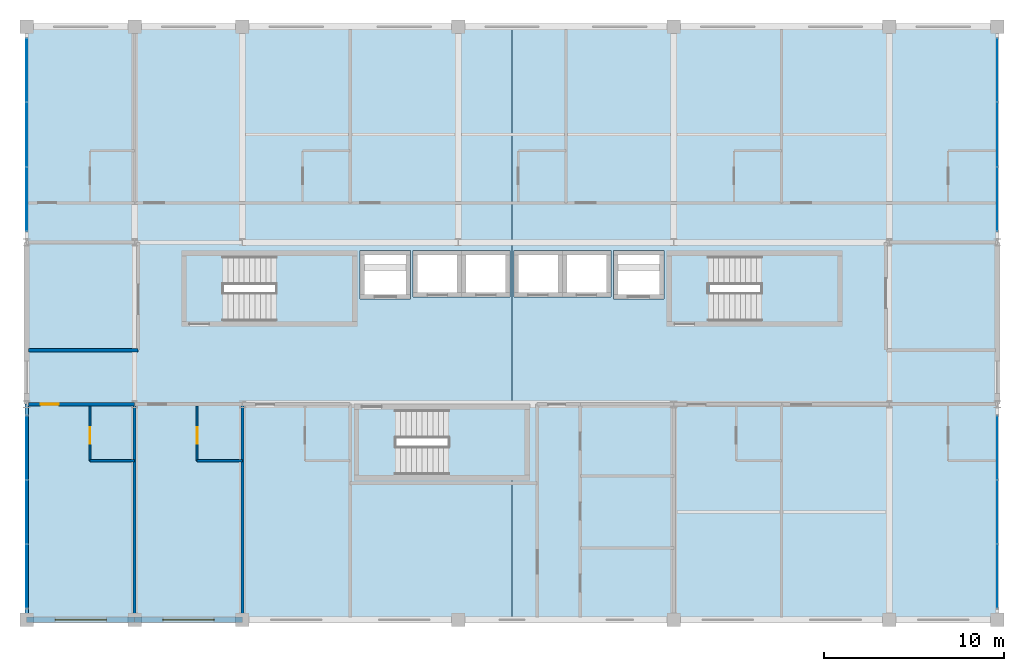
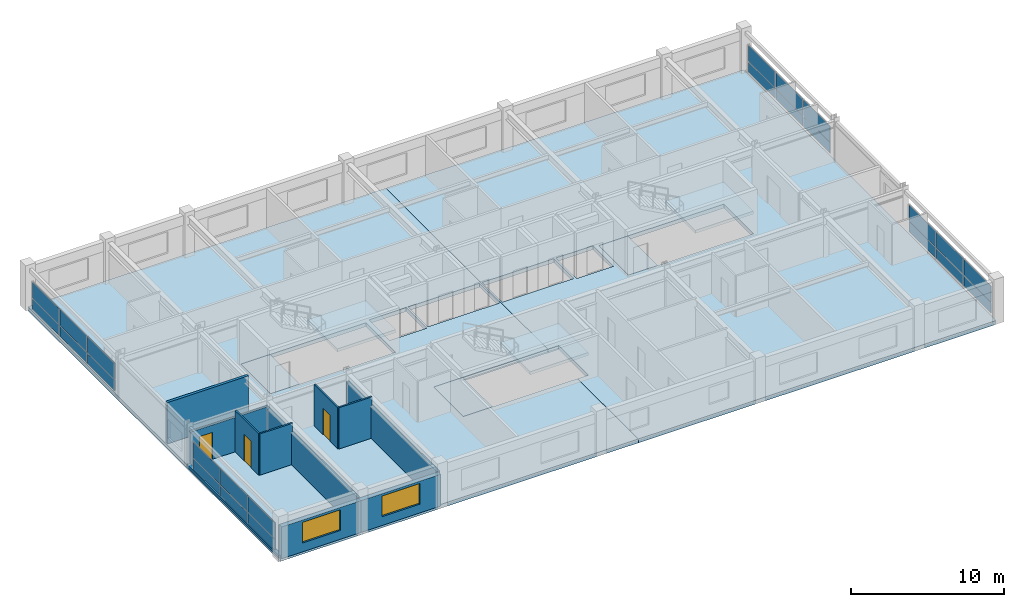
# One storey, part 15 of 20: 24 plates, 11 walls, 8 slabs, 3 doors, 2 windows, 5 openings, 7 elements without a shape of their own.
"""IFC4 building model written with IfcOpenShell, lengths in metres."""

from ifc_helpers import new_model, si_unit, direction, frame, frame_2d, origin, origin_2d, place, context, subcontext, project, spatial, polyline, rectangle, outline, extrude, material, layer, layer_set, type_object, element, fill, aggregate, save


model = new_model("IFC4")

# Units and contexts
model_context = context("Model", 3, precision=1e-05, world=origin(), true_north=direction((0.0, 1.0)))
body_context = subcontext(model_context, "Body", "Model", "MODEL_VIEW")
ifc_project = project(units=[si_unit("LENGTHUNIT", "METRE"), si_unit("AREAUNIT", "SQUARE_METRE"), si_unit("VOLUMEUNIT", "CUBIC_METRE"), si_unit("PLANEANGLEUNIT", "RADIAN"), si_unit("MASSUNIT", "GRAM", prefix="KILO")], contexts=[model_context])

# Site, building, storey
site_placement = place(None, origin())
site = spatial("IfcSite", under=ifc_project, at=site_placement, CompositionType="ELEMENT")
building_placement = place(site_placement, origin())
building = spatial("IfcBuilding", under=site, at=building_placement, Name="Kaldorvane Square Convention Centre", CompositionType="ELEMENT")
storey_placement = place(building_placement, frame((0.0, 0.0, 56.399993896484375)))
storey = spatial("IfcBuildingStorey", under=building, at=storey_placement, Name="L13", CompositionType="ELEMENT", Elevation=56.399993896484375)

# Curtain wall, plates
ifc_material_1 = material(Name="Anodized Aluminum and Low-E Insulated Glazing", Category="aluminium")
curtain_wall_type_1 = type_object("IfcCurtainWallType", Name="CW-UNI-HTL-A", PredefinedType="USERDEFINED", material=ifc_material_1)
curtain_wall_1_placement = place(storey_placement, origin())
curtain_wall_1 = element("IfcCurtainWall", 1, at=curtain_wall_1_placement, inside=storey, type_object=curtain_wall_type_1, Name="Curtain Wall CW-10 (L13)", ObjectType="UNITISED GLAZING", PredefinedType="USERDEFINED")
ifc_layer_1 = layer(ifc_material_1, 0.0240020751953125)
ifc_layer_set_1 = layer_set([ifc_layer_1], Name="Anodized Aluminum and Low-E Insulated Glazing")
plate_type_1 = type_object("IfcPlateType", Name="CW-PNL-11", PredefinedType="CURTAIN_PANEL", material=ifc_layer_set_1)
plate_1_placement = place(storey_placement, frame((84.0, 86.41499328613281, 0.2050018310546875), z_axis=(0.0, 0.0, 1.0), x_axis=(0.0, 1.0, 0.0)))
plate_1 = element("IfcPlate", 2, at=plate_1_placement, type_object=plate_type_1, Name="CW-10 panel 1.1", PredefinedType="CURTAIN_PANEL", context=body_context, shape_type="SweptSolid", body=[
    extrude(rectangle(XDim=3.5099945068359375, YDim=0.0240020751953125, at=origin_2d()), origin(), (0.0, 0.0, 1.0), 0.8175048828125),
])
plate_2_placement = place(storey_placement, frame((84.0, 86.41499328613281, 1.0775146484375), z_axis=(0.0, 0.0, 1.0), x_axis=(0.0, 1.0, 0.0)))
plate_2 = element("IfcPlate", 3, at=plate_2_placement, type_object=plate_type_1, Name="CW-10 panel 1.2", PredefinedType="CURTAIN_PANEL", context=body_context, shape_type="SweptSolid", body=[
    extrude(rectangle(XDim=3.5099945068359375, YDim=0.0240020751953125, at=origin_2d()), origin(), (0.0, 0.0, 1.0), 1.277496337890625),
])
plate_3_placement = place(storey_placement, frame((84.0, 90.0, 0.2050018310546875), z_axis=(0.0, 0.0, 1.0), x_axis=(0.0, 1.0, 0.0)))
plate_3 = element("IfcPlate", 4, at=plate_3_placement, type_object=plate_type_1, Name="CW-10 panel 2.1", PredefinedType="CURTAIN_PANEL", context=body_context, shape_type="SweptSolid", body=[
    extrude(rectangle(XDim=3.5399932861328125, YDim=0.0240020751953125, at=origin_2d()), origin(), (0.0, 0.0, 1.0), 0.8175048828125),
])
plate_4_placement = place(storey_placement, frame((84.0, 90.0, 1.0775146484375), z_axis=(0.0, 0.0, 1.0), x_axis=(0.0, 1.0, 0.0)))
plate_4 = element("IfcPlate", 5, at=plate_4_placement, type_object=plate_type_1, Name="CW-10 panel 2.2", PredefinedType="CURTAIN_PANEL", context=body_context, shape_type="SweptSolid", body=[
    extrude(rectangle(XDim=3.5399932861328125, YDim=0.0240020751953125, at=origin_2d()), origin(), (0.0, 0.0, 1.0), 1.277496337890625),
])
plate_5_placement = place(storey_placement, frame((84.0, 93.58500671386719, 0.2050018310546875), z_axis=(0.0, 0.0, 1.0), x_axis=(0.0, 1.0, 0.0)))
plate_5 = element("IfcPlate", 6, at=plate_5_placement, type_object=plate_type_1, Name="CW-10 panel 3.1", PredefinedType="CURTAIN_PANEL", context=body_context, shape_type="SweptSolid", body=[
    extrude(rectangle(XDim=3.5099945068359375, YDim=0.0240020751953125, at=origin_2d()), origin(), (0.0, 0.0, 1.0), 0.8175048828125),
])
plate_6_placement = place(storey_placement, frame((84.0, 93.58500671386719, 1.0775146484375), z_axis=(0.0, 0.0, 1.0), x_axis=(0.0, 1.0, 0.0)))
plate_6 = element("IfcPlate", 7, at=plate_6_placement, type_object=plate_type_1, Name="CW-10 panel 3.2", PredefinedType="CURTAIN_PANEL", context=body_context, shape_type="SweptSolid", body=[
    extrude(rectangle(XDim=3.5099945068359375, YDim=0.0240020751953125, at=origin_2d()), origin(), (0.0, 0.0, 1.0), 1.277496337890625),
])
aggregate(curtain_wall_1, [plate_1, plate_2, plate_3, plate_4, plate_5, plate_6])

curtain_wall_2_placement = place(storey_placement, origin())
curtain_wall_2 = element("IfcCurtainWall", 8, at=curtain_wall_2_placement, inside=storey, type_object=curtain_wall_type_1, Name="Curtain Wall CW-10 (L13)", ObjectType="UNITISED GLAZING", PredefinedType="USERDEFINED")
plate_7_placement = place(storey_placement, frame((84.0, 107.41499328613281, 0.2050018310546875), z_axis=(0.0, 0.0, 1.0), x_axis=(0.0, 1.0, 0.0)))
plate_7 = element("IfcPlate", 9, at=plate_7_placement, type_object=plate_type_1, Name="CW-10 panel 1.1", PredefinedType="CURTAIN_PANEL", context=body_context, shape_type="SweptSolid", body=[
    extrude(rectangle(XDim=3.5099945068359375, YDim=0.0240020751953125, at=origin_2d()), origin(), (0.0, 0.0, 1.0), 0.8175048828125),
])
plate_8_placement = place(storey_placement, frame((84.0, 107.41499328613281, 1.0775146484375), z_axis=(0.0, 0.0, 1.0), x_axis=(0.0, 1.0, 0.0)))
plate_8 = element("IfcPlate", 10, at=plate_8_placement, type_object=plate_type_1, Name="CW-10 panel 1.2", PredefinedType="CURTAIN_PANEL", context=body_context, shape_type="SweptSolid", body=[
    extrude(rectangle(XDim=3.5099945068359375, YDim=0.0240020751953125, at=origin_2d()), origin(), (0.0, 0.0, 1.0), 1.277496337890625),
])
plate_9_placement = place(storey_placement, frame((84.0, 111.0, 0.2050018310546875), z_axis=(0.0, 0.0, 1.0), x_axis=(0.0, 1.0, 0.0)))
plate_9 = element("IfcPlate", 11, at=plate_9_placement, type_object=plate_type_1, Name="CW-10 panel 2.1", PredefinedType="CURTAIN_PANEL", context=body_context, shape_type="SweptSolid", body=[
    extrude(rectangle(XDim=3.5399932861328125, YDim=0.0240020751953125, at=origin_2d()), origin(), (0.0, 0.0, 1.0), 0.8175048828125),
])
plate_10_placement = place(storey_placement, frame((84.0, 111.0, 1.0775146484375), z_axis=(0.0, 0.0, 1.0), x_axis=(0.0, 1.0, 0.0)))
plate_10 = element("IfcPlate", 12, at=plate_10_placement, type_object=plate_type_1, Name="CW-10 panel 2.2", PredefinedType="CURTAIN_PANEL", context=body_context, shape_type="SweptSolid", body=[
    extrude(rectangle(XDim=3.5399932861328125, YDim=0.0240020751953125, at=origin_2d()), origin(), (0.0, 0.0, 1.0), 1.277496337890625),
])
plate_11_placement = place(storey_placement, frame((84.0, 114.58500671386719, 0.2050018310546875), z_axis=(0.0, 0.0, 1.0), x_axis=(0.0, 1.0, 0.0)))
plate_11 = element("IfcPlate", 13, at=plate_11_placement, type_object=plate_type_1, Name="CW-10 panel 3.1", PredefinedType="CURTAIN_PANEL", context=body_context, shape_type="SweptSolid", body=[
    extrude(rectangle(XDim=3.5099945068359375, YDim=0.0240020751953125, at=origin_2d()), origin(), (0.0, 0.0, 1.0), 0.8175048828125),
])
plate_12_placement = place(storey_placement, frame((84.0, 114.58500671386719, 1.0775146484375), z_axis=(0.0, 0.0, 1.0), x_axis=(0.0, 1.0, 0.0)))
plate_12 = element("IfcPlate", 14, at=plate_12_placement, type_object=plate_type_1, Name="CW-10 panel 3.2", PredefinedType="CURTAIN_PANEL", context=body_context, shape_type="SweptSolid", body=[
    extrude(rectangle(XDim=3.5099945068359375, YDim=0.0240020751953125, at=origin_2d()), origin(), (0.0, 0.0, 1.0), 1.277496337890625),
])
aggregate(curtain_wall_2, [plate_7, plate_8, plate_9, plate_10, plate_11, plate_12])

curtain_wall_type_2 = type_object("IfcCurtainWallType", Name="CW-UNI-HTL-B", PredefinedType="USERDEFINED", material=ifc_material_1)
curtain_wall_3_placement = place(storey_placement, origin())
curtain_wall_3 = element("IfcCurtainWall", 15, at=curtain_wall_3_placement, inside=storey, type_object=curtain_wall_type_2, Name="Curtain Wall CW-11 (L13)", ObjectType="UNITISED GLAZING", PredefinedType="USERDEFINED")
ifc_layer_2 = layer(ifc_material_1, 0.0460052490234375)
ifc_layer_set_2 = layer_set([ifc_layer_2], Name="Anodized Aluminum and Low-E Insulated Glazing")
plate_type_2 = type_object("IfcPlateType", Name="CW-PNL-12", PredefinedType="CURTAIN_PANEL", material=ifc_layer_set_2)
plate_13_placement = place(storey_placement, frame((30.0, 93.58500671386719, 0.2050018310546875), z_axis=(0.0, 0.0, 1.0), x_axis=(0.0, -1.0, 0.0)))
plate_13 = element("IfcPlate", 16, at=plate_13_placement, type_object=plate_type_2, Name="CW-11 panel 1.1", PredefinedType="CURTAIN_PANEL", context=body_context, shape_type="SweptSolid", body=[
    extrude(rectangle(XDim=3.5099945068359375, YDim=0.0460052490234375, at=origin_2d()), origin(), (0.0, 0.0, 1.0), 0.8175048828125),
])
plate_14_placement = place(storey_placement, frame((30.0, 93.58500671386719, 1.0775146484375), z_axis=(0.0, 0.0, 1.0), x_axis=(0.0, -1.0, 0.0)))
plate_14 = element("IfcPlate", 17, at=plate_14_placement, type_object=plate_type_2, Name="CW-11 panel 1.2", PredefinedType="CURTAIN_PANEL", context=body_context, shape_type="SweptSolid", body=[
    extrude(rectangle(XDim=3.5099945068359375, YDim=0.0460052490234375, at=origin_2d()), origin(), (0.0, 0.0, 1.0), 1.277496337890625),
])
plate_15_placement = place(storey_placement, frame((30.0, 90.0, 0.2050018310546875), z_axis=(0.0, 0.0, 1.0), x_axis=(0.0, -1.0, 0.0)))
plate_15 = element("IfcPlate", 18, at=plate_15_placement, type_object=plate_type_2, Name="CW-11 panel 2.1", PredefinedType="CURTAIN_PANEL", context=body_context, shape_type="SweptSolid", body=[
    extrude(rectangle(XDim=3.5399932861328125, YDim=0.0460052490234375, at=origin_2d()), origin(), (0.0, 0.0, 1.0), 0.8175048828125),
])
plate_16_placement = place(storey_placement, frame((30.0, 90.0, 1.0775146484375), z_axis=(0.0, 0.0, 1.0), x_axis=(0.0, -1.0, 0.0)))
plate_16 = element("IfcPlate", 19, at=plate_16_placement, type_object=plate_type_2, Name="CW-11 panel 2.2", PredefinedType="CURTAIN_PANEL", context=body_context, shape_type="SweptSolid", body=[
    extrude(rectangle(XDim=3.5399932861328125, YDim=0.0460052490234375, at=origin_2d()), origin(), (0.0, 0.0, 1.0), 1.277496337890625),
])
plate_17_placement = place(storey_placement, frame((30.0, 86.41499328613281, 0.2050018310546875), z_axis=(0.0, 0.0, 1.0), x_axis=(0.0, -1.0, 0.0)))
plate_17 = element("IfcPlate", 20, at=plate_17_placement, type_object=plate_type_2, Name="CW-11 panel 3.1", PredefinedType="CURTAIN_PANEL", context=body_context, shape_type="SweptSolid", body=[
    extrude(rectangle(XDim=3.5099945068359375, YDim=0.0460052490234375, at=origin_2d()), origin(), (0.0, 0.0, 1.0), 0.8175048828125),
])
plate_18_placement = place(storey_placement, frame((30.0, 86.41499328613281, 1.0775146484375), z_axis=(0.0, 0.0, 1.0), x_axis=(0.0, -1.0, 0.0)))
plate_18 = element("IfcPlate", 21, at=plate_18_placement, type_object=plate_type_2, Name="CW-11 panel 3.2", PredefinedType="CURTAIN_PANEL", context=body_context, shape_type="SweptSolid", body=[
    extrude(rectangle(XDim=3.5099945068359375, YDim=0.0460052490234375, at=origin_2d()), origin(), (0.0, 0.0, 1.0), 1.277496337890625),
])
aggregate(curtain_wall_3, [plate_13, plate_14, plate_15, plate_16, plate_17, plate_18])

curtain_wall_4_placement = place(storey_placement, origin())
curtain_wall_4 = element("IfcCurtainWall", 22, at=curtain_wall_4_placement, inside=storey, type_object=curtain_wall_type_2, Name="Curtain Wall CW-11 (L13)", ObjectType="UNITISED GLAZING", PredefinedType="USERDEFINED")
plate_19_placement = place(storey_placement, frame((30.0, 114.58500671386719, 0.2050018310546875), z_axis=(0.0, 0.0, 1.0), x_axis=(0.0, -1.0, 0.0)))
plate_19 = element("IfcPlate", 23, at=plate_19_placement, type_object=plate_type_2, Name="CW-11 panel 1.1", PredefinedType="CURTAIN_PANEL", context=body_context, shape_type="SweptSolid", body=[
    extrude(rectangle(XDim=3.5099945068359375, YDim=0.0460052490234375, at=origin_2d()), origin(), (0.0, 0.0, 1.0), 0.8175048828125),
])
plate_20_placement = place(storey_placement, frame((30.0, 114.58500671386719, 1.0775146484375), z_axis=(0.0, 0.0, 1.0), x_axis=(0.0, -1.0, 0.0)))
plate_20 = element("IfcPlate", 24, at=plate_20_placement, type_object=plate_type_2, Name="CW-11 panel 1.2", PredefinedType="CURTAIN_PANEL", context=body_context, shape_type="SweptSolid", body=[
    extrude(rectangle(XDim=3.5099945068359375, YDim=0.0460052490234375, at=origin_2d()), origin(), (0.0, 0.0, 1.0), 1.277496337890625),
])
plate_21_placement = place(storey_placement, frame((30.0, 111.0, 0.2050018310546875), z_axis=(0.0, 0.0, 1.0), x_axis=(0.0, -1.0, 0.0)))
plate_21 = element("IfcPlate", 25, at=plate_21_placement, type_object=plate_type_2, Name="CW-11 panel 2.1", PredefinedType="CURTAIN_PANEL", context=body_context, shape_type="SweptSolid", body=[
    extrude(rectangle(XDim=3.5399932861328125, YDim=0.0460052490234375, at=origin_2d()), origin(), (0.0, 0.0, 1.0), 0.8175048828125),
])
plate_22_placement = place(storey_placement, frame((30.0, 111.0, 1.0775146484375), z_axis=(0.0, 0.0, 1.0), x_axis=(0.0, -1.0, 0.0)))
plate_22 = element("IfcPlate", 26, at=plate_22_placement, type_object=plate_type_2, Name="CW-11 panel 2.2", PredefinedType="CURTAIN_PANEL", context=body_context, shape_type="SweptSolid", body=[
    extrude(rectangle(XDim=3.5399932861328125, YDim=0.0460052490234375, at=origin_2d()), origin(), (0.0, 0.0, 1.0), 1.277496337890625),
])
plate_23_placement = place(storey_placement, frame((30.0, 107.41499328613281, 0.2050018310546875), z_axis=(0.0, 0.0, 1.0), x_axis=(0.0, -1.0, 0.0)))
plate_23 = element("IfcPlate", 27, at=plate_23_placement, type_object=plate_type_2, Name="CW-11 panel 3.1", PredefinedType="CURTAIN_PANEL", context=body_context, shape_type="SweptSolid", body=[
    extrude(rectangle(XDim=3.5099945068359375, YDim=0.0460052490234375, at=origin_2d()), origin(), (0.0, 0.0, 1.0), 0.8175048828125),
])
plate_24_placement = place(storey_placement, frame((30.0, 107.41499328613281, 1.0775146484375), z_axis=(0.0, 0.0, 1.0), x_axis=(0.0, -1.0, 0.0)))
plate_24 = element("IfcPlate", 28, at=plate_24_placement, type_object=plate_type_2, Name="CW-11 panel 3.2", PredefinedType="CURTAIN_PANEL", context=body_context, shape_type="SweptSolid", body=[
    extrude(rectangle(XDim=3.5099945068359375, YDim=0.0460052490234375, at=origin_2d()), origin(), (0.0, 0.0, 1.0), 1.277496337890625),
])
aggregate(curtain_wall_4, [plate_19, plate_20, plate_21, plate_22, plate_23, plate_24])

# Slabs
ifc_material_2 = material(Name="Concrete f'c = 42 MPa (Normalweight)", Category="concrete")
ifc_layer_3 = layer(ifc_material_2, 0.279998779296875)
ifc_layer_set_3 = layer_set([ifc_layer_3], Name="Concrete f'c = 42 MPa (Normalweight)")
slab_type_1 = type_object("IfcSlabType", Name="SL-FLND-280", PredefinedType="FLOOR", material=ifc_layer_set_3)
slab_1_placement = place(storey_placement, frame((0.0, 0.0, -0.279998779296875)))
element("IfcSlab", 29, at=slab_1_placement, inside=storey, type_object=slab_type_1, Name="Tower Exit Stair T1 Floor Landing (L13)", PredefinedType="FLOOR", context=body_context, shape_type="SweptSolid", body=[
    extrude(outline(polyline([(38.779998779296875, 100.49000549316406), (40.97999572753906, 100.49000549316406), (40.97999572753906, 104.3699951171875), (38.779998779296875, 104.3699951171875), (38.779998779296875, 100.49000549316406)])), origin(), (0.0, 0.0, 1.0), 0.279998779296875),
])
slab_2_placement = place(storey_placement, frame((0.0, 0.0, -0.279998779296875)))
element("IfcSlab", 30, at=slab_2_placement, inside=storey, type_object=slab_type_1, Name="Tower Exit Stair T2 Floor Landing (L13)", PredefinedType="FLOOR", context=body_context, shape_type="SweptSolid", body=[
    extrude(outline(polyline([(65.77999877929688, 100.49000549316406), (67.97999572753906, 100.49000549316406), (67.97999572753906, 104.3699951171875), (65.77999877929688, 104.3699951171875), (65.77999877929688, 100.49000549316406)])), origin(), (0.0, 0.0, 1.0), 0.279998779296875),
])
slab_3_placement = place(storey_placement, frame((0.0, 0.0, -0.279998779296875)))
element("IfcSlab", 31, at=slab_3_placement, inside=storey, type_object=slab_type_1, Name="Tower Exit Stair T3 Floor Landing (L13)", PredefinedType="FLOOR", context=body_context, shape_type="SweptSolid", body=[
    extrude(outline(polyline([(48.3800048828125, 91.94000244140625), (50.58000183105469, 91.94000244140625), (50.58000183105469, 95.82000732421875), (48.3800048828125, 95.82000732421875), (48.3800048828125, 91.94000244140625)])), origin(), (0.0, 0.0, 1.0), 0.279998779296875),
])
ifc_layer_4 = layer(ifc_material_2, 0.30999755859375)
ifc_layer_set_4 = layer_set([ifc_layer_4], Name="Concrete f'c = 42 MPa (Normalweight)")
slab_type_2 = type_object("IfcSlabType", Name="SL-HTL-250", PredefinedType="FLOOR", material=ifc_layer_set_4)
slab_4_placement = place(storey_placement, frame((0.0, 0.0, -0.30999755859375)))
element("IfcSlab", 32, at=slab_4_placement, inside=storey, type_object=slab_type_2, Name="Hotel Tower Floor Slab L13-1.1", PredefinedType="FLOOR", context=body_context, shape_type="SweptSolid", body=[
    extrude(outline(polyline([(30.0, 117.0), (57.0, 117.0), (57.0, 95.82000732421875), (48.3800048828125, 95.82000732421875), (48.3800048828125, 91.94000244140625), (57.0, 91.94000244140625), (57.0, 84.0), (30.0, 84.0), (30.0, 117.0)]), holes=[polyline([(38.779998779296875, 104.3699951171875), (38.779998779296875, 100.49000549316406), (48.220001220703125, 100.49000549316406), (48.220001220703125, 104.3699951171875), (38.779998779296875, 104.3699951171875)]), polyline([(48.55000305175781, 104.55000305175781), (48.55000305175781, 101.85000610351562), (51.350006103515625, 101.85000610351562), (51.350006103515625, 104.55000305175781), (48.55000305175781, 104.55000305175781)]), polyline([(51.5, 104.55000305175781), (51.5, 101.94999694824219), (54.19999694824219, 101.94999694824219), (56.899993896484375, 101.94999694824219), (56.899993896484375, 104.55000305175781), (54.19999694824219, 104.55000305175781), (51.5, 104.55000305175781)])]), origin(), (0.0, 0.0, 1.0), 0.30999755859375),
])
slab_5_placement = place(storey_placement, frame((0.0, 0.0, -0.30999755859375)))
element("IfcSlab", 33, at=slab_5_placement, inside=storey, type_object=slab_type_2, Name="Hotel Tower Floor Slab L13-2.1", PredefinedType="FLOOR", context=body_context, shape_type="SweptSolid", body=[
    extrude(outline(polyline([(84.0, 117.0), (84.0, 84.0), (57.0, 84.0), (57.0, 91.94000244140625), (57.82000732421875, 91.94000244140625), (57.82000732421875, 95.82000732421875), (57.0, 95.82000732421875), (57.0, 117.0), (84.0, 117.0)]), holes=[polyline([(65.77999877929688, 104.3699951171875), (65.77999877929688, 100.49000549316406), (75.22000122070312, 100.49000549316406), (75.22000122070312, 104.3699951171875), (65.77999877929688, 104.3699951171875)]), polyline([(62.649993896484375, 104.55000305175781), (62.649993896484375, 101.85000610351562), (65.44999694824219, 101.85000610351562), (65.44999694824219, 104.55000305175781), (62.649993896484375, 104.55000305175781)]), polyline([(57.100006103515625, 104.55000305175781), (57.100006103515625, 101.94999694824219), (59.80000305175781, 101.94999694824219), (62.5, 101.94999694824219), (62.5, 104.55000305175781), (59.80000305175781, 104.55000305175781), (57.100006103515625, 104.55000305175781)])]), origin(), (0.0, 0.0, 1.0), 0.30999755859375),
])

# Stair, slab
stair_type = type_object("IfcStairType", Name="ST-DL-1600-3600", PredefinedType="HALF_TURN_STAIR", material=ifc_material_2)
stair_1_placement = place(storey_placement, origin())
stair_1 = element("IfcStair", 34, at=stair_1_placement, inside=storey, type_object=stair_type, Name="Tower Exit Stair T1 (L13)", PredefinedType="HALF_TURN_STAIR")
ifc_layer_5 = layer(ifc_material_2, 0.2400054931640625)
ifc_layer_set_5 = layer_set([ifc_layer_5], Name="Concrete f'c = 42 MPa (Normalweight)")
slab_type_3 = type_object("IfcSlabType", Name="SL-LAND-240", PredefinedType="LANDING", material=ifc_layer_set_5)
slab_6_placement = place(storey_placement, frame((0.0, 0.0, 1.5600128173828125)))
slab_6 = element("IfcSlab", 35, at=slab_6_placement, type_object=slab_type_3, Name="Tower Exit Stair T1 Half Landing (L13)", PredefinedType="LANDING", context=body_context, shape_type="SweptSolid", body=[
    extrude(outline(polyline([(43.82000732421875, 100.49000549316406), (48.220001220703125, 100.49000549316406), (48.220001220703125, 104.3699951171875), (43.82000732421875, 104.3699951171875), (43.82000732421875, 100.49000549316406)])), origin(), (0.0, 0.0, 1.0), 0.239990234375),
])
aggregate(stair_1, [slab_6])

stair_2_placement = place(storey_placement, origin())
stair_2 = element("IfcStair", 36, at=stair_2_placement, inside=storey, type_object=stair_type, Name="Tower Exit Stair T2 (L13)", PredefinedType="HALF_TURN_STAIR")
slab_7_placement = place(storey_placement, frame((0.0, 0.0, 1.5600128173828125)))
slab_7 = element("IfcSlab", 37, at=slab_7_placement, type_object=slab_type_3, Name="Tower Exit Stair T2 Half Landing (L13)", PredefinedType="LANDING", context=body_context, shape_type="SweptSolid", body=[
    extrude(outline(polyline([(70.82000732421875, 100.49000549316406), (75.22000122070312, 100.49000549316406), (75.22000122070312, 104.3699951171875), (70.82000732421875, 104.3699951171875), (70.82000732421875, 100.49000549316406)])), origin(), (0.0, 0.0, 1.0), 0.239990234375),
])
aggregate(stair_2, [slab_7])

stair_3_placement = place(storey_placement, origin())
stair_3 = element("IfcStair", 38, at=stair_3_placement, inside=storey, type_object=stair_type, Name="Tower Exit Stair T3 (L13)", PredefinedType="HALF_TURN_STAIR")
slab_8_placement = place(storey_placement, frame((0.0, 0.0, 1.5600128173828125)))
slab_8 = element("IfcSlab", 39, at=slab_8_placement, type_object=slab_type_3, Name="Tower Exit Stair T3 Half Landing (L13)", PredefinedType="LANDING", context=body_context, shape_type="SweptSolid", body=[
    extrude(outline(polyline([(53.41999816894531, 91.94000244140625), (57.82000732421875, 91.94000244140625), (57.82000732421875, 95.82000732421875), (53.41999816894531, 95.82000732421875), (53.41999816894531, 91.94000244140625)])), origin(), (0.0, 0.0, 1.0), 0.239990234375),
])
aggregate(stair_3, [slab_8])

# Wall, opening, door
ifc_material_3 = material(Name="Fire-Rated Gypsum Board on Acoustic Steel Studs", Category="steel")
ifc_layer_6 = layer(ifc_material_3, 0.125)
ifc_layer_set_6 = layer_set([ifc_layer_6], Name="Fire-Rated Gypsum Board on Acoustic Steel Studs")
wall_type_1 = type_object("IfcWallType", Name="WL-BATH-125", PredefinedType="PARTITIONING", material=ifc_layer_set_6)
wall_1_placement = place(storey_placement, frame((33.52000427246094, 92.85000610351562, 0.0), z_axis=(0.0, 0.0, 1.0), x_axis=(0.0, 1.0, 0.0)))
wall_1 = element("IfcWall", 40, at=wall_1_placement, inside=storey, type_object=wall_type_1, Name="En-Suite 1306 West Wall", PredefinedType="PARTITIONING", context=body_context, shape_type="SweptSolid", body=[
    extrude(rectangle(XDim=3.05999755859375, YDim=0.125, at=frame_2d((1.529998779296875, 0.0))), origin(), (0.0, 0.0, 1.0), 3.290008544921875),
])
opening_1_placement = place(wall_1_placement, frame((0.9499969482421875, 0.0, 0.0)))
opening_1 = element("IfcOpeningElement", 41, at=opening_1_placement, cuts=wall_1, Name="Opening ID-12", PredefinedType="OPENING", context=body_context, shape_type="SweptSolid", body=[
    extrude(rectangle(XDim=0.9199981689453125, YDim=2.100006103515625, at=frame_2d((0.459991455078125, 1.0500030517578125))), frame((0.0, 0.0774993896484375, 0.0), z_axis=(0.0, -1.0, 0.0), x_axis=(1.0, 0.0, 0.0)), (0.0, 0.0, 1.0), 0.154998779296875),
])
ifc_material_4 = material(Name="Architectural Solid-Core White Oak")
door_type_1 = type_object("IfcDoorType", Name="DR-BATH-0920X2100", OperationType="SINGLE_SWING_RIGHT", PredefinedType="DOOR", material=ifc_material_4)
door_1_placement = place(opening_1_placement, origin())
door_1 = element("IfcDoor", 42, at=door_1_placement, inside=storey, type_object=door_type_1, Name="En-Suite Bathroom 1306 Door", OperationType="SINGLE_SWING_RIGHT", OverallHeight=2.100006103515625, OverallWidth=0.9199981689453125, PredefinedType="DOOR", context=body_context, shape_type="SweptSolid", body=[
    extrude(rectangle(XDim=0.9199981689453125, YDim=2.100006103515625, at=frame_2d((0.459991455078125, 1.0500030517578125))), frame((0.0, 0.024993896484375, 0.0), z_axis=(0.0, -1.0, 0.0), x_axis=(1.0, 0.0, 0.0)), (0.0, 0.0, 1.0), 0.0500030517578125),
])
fill(opening_1, door_1)

# Wall
wall_2_placement = place(storey_placement, frame((33.52000427246094, 92.85000610351562, 0.0), z_axis=(0.0, 0.0, 1.0), x_axis=(1.0, 0.0, 0.0)))
element("IfcWall", 43, at=wall_2_placement, inside=storey, type_object=wall_type_1, Name="En-Suite 1306 South Wall", PredefinedType="PARTITIONING", context=body_context, shape_type="SweptSolid", body=[
    extrude(rectangle(XDim=2.4799957275390625, YDim=0.125, at=frame_2d((1.239990234375, 0.0))), origin(), (0.0, 0.0, 1.0), 3.290008544921875),
])

# Wall, opening, door
wall_3_placement = place(storey_placement, frame((39.47999572753906, 92.85000610351562, 0.0), z_axis=(0.0, 0.0, 1.0), x_axis=(0.0, 1.0, 0.0)))
wall_3 = element("IfcWall", 44, at=wall_3_placement, inside=storey, type_object=wall_type_1, Name="En-Suite 1307 West Wall", PredefinedType="PARTITIONING", context=body_context, shape_type="SweptSolid", body=[
    extrude(rectangle(XDim=3.05999755859375, YDim=0.125, at=frame_2d((1.529998779296875, 0.0))), origin(), (0.0, 0.0, 1.0), 3.290008544921875),
])
opening_2_placement = place(wall_3_placement, frame((0.9499969482421875, 0.0, 0.0)))
opening_2 = element("IfcOpeningElement", 45, at=opening_2_placement, cuts=wall_3, Name="Opening ID-12", PredefinedType="OPENING", context=body_context, shape_type="SweptSolid", body=[
    extrude(rectangle(XDim=0.9199981689453125, YDim=2.100006103515625, at=frame_2d((0.459991455078125, 1.0500030517578125))), frame((0.0, 0.0774993896484375, 0.0), z_axis=(0.0, -1.0, 0.0), x_axis=(1.0, 0.0, 0.0)), (0.0, 0.0, 1.0), 0.154998779296875),
])
door_2_placement = place(opening_2_placement, origin())
door_2 = element("IfcDoor", 46, at=door_2_placement, inside=storey, type_object=door_type_1, Name="En-Suite Bathroom 1307 Door", OperationType="SINGLE_SWING_RIGHT", OverallHeight=2.100006103515625, OverallWidth=0.9199981689453125, PredefinedType="DOOR", context=body_context, shape_type="SweptSolid", body=[
    extrude(rectangle(XDim=0.9199981689453125, YDim=2.100006103515625, at=frame_2d((0.459991455078125, 1.0500030517578125))), frame((0.0, 0.024993896484375, 0.0), z_axis=(0.0, -1.0, 0.0), x_axis=(1.0, 0.0, 0.0)), (0.0, 0.0, 1.0), 0.0500030517578125),
])
fill(opening_2, door_2)

# Walls
wall_4_placement = place(storey_placement, frame((39.47999572753906, 92.85000610351562, 0.0), z_axis=(0.0, 0.0, 1.0), x_axis=(1.0, 0.0, 0.0)))
element("IfcWall", 47, at=wall_4_placement, inside=storey, type_object=wall_type_1, Name="En-Suite 1307 South Wall", PredefinedType="PARTITIONING", context=body_context, shape_type="SweptSolid", body=[
    extrude(rectangle(XDim=2.5200042724609375, YDim=0.125, at=frame_2d((1.260009765625, 0.0))), origin(), (0.0, 0.0, 1.0), 3.290008544921875),
])
ifc_layer_7 = layer(ifc_material_3, 0.1999969482421875)
ifc_layer_set_7 = layer_set([ifc_layer_7], Name="Fire-Rated Gypsum Board on Acoustic Steel Studs")
wall_type_2 = type_object("IfcWallType", Name="WL-CORR-200", PredefinedType="PARTITIONING", material=ifc_layer_set_7)
wall_5_placement = place(storey_placement, frame((30.085006713867188, 99.0, 0.0), z_axis=(0.0, 0.0, 1.0), x_axis=(1.0, 0.0, 0.0)))
element("IfcWall", 48, at=wall_5_placement, inside=storey, type_object=wall_type_2, Name="West Sunset Sitting Alcove (L13) S Wall", PredefinedType="PARTITIONING", context=body_context, shape_type="SweptSolid", body=[
    extrude(rectangle(XDim=6.114990234375, YDim=0.1999969482421875, at=frame_2d((3.0574951171875, 0.0))), origin(), (0.0, 0.0, 1.0), 3.290008544921875),
])

# Wall, opening, window
ifc_material_5 = material(Name="Concrete f'c = 35 MPa (Normalweight)", Category="concrete")
ifc_layer_8 = layer(ifc_material_5, 0.32000732421875)
ifc_layer_set_8 = layer_set([ifc_layer_8], Name="Concrete f'c = 35 MPa (Normalweight)")
wall_type_3 = type_object("IfcWallType", Name="WL-EXT-320", PredefinedType="STANDARD", material=ifc_layer_set_8)
wall_6_placement = place(storey_placement, frame((30.0, 84.0, 0.0), z_axis=(0.0, 0.0, 1.0), x_axis=(1.0, 0.0, 0.0)))
wall_6 = element("IfcWall", 49, at=wall_6_placement, inside=storey, type_object=wall_type_3, Name="Hotel S Brutalist Facade Wall (L13)", PredefinedType="STANDARD", context=body_context, shape_type="SweptSolid", body=[
    extrude(rectangle(XDim=6.0, YDim=0.32000732421875, at=frame_2d((3.0, 0.0))), origin(), (0.0, 0.0, 1.0), 2.5360107421875),
])
opening_3_placement = place(wall_6_placement, frame((1.5749969482421875, 0.0, 0.6999969482421875)))
opening_3 = element("IfcOpeningElement", 50, at=opening_3_placement, cuts=wall_6, Name="Opening W-04", PredefinedType="OPENING", context=body_context, shape_type="SweptSolid", body=[
    extrude(rectangle(XDim=2.850006103515625, YDim=1.649993896484375, at=frame_2d((1.4250030517578125, 0.8249969482421875))), frame((0.0, 0.1750030517578125, 0.0), z_axis=(0.0, -1.0, 0.0), x_axis=(1.0, 0.0, 0.0)), (0.0, 0.0, 1.0), 0.350006103515625),
])
window_type = type_object("IfcWindowType", Name="WN-HTL-2850X1650", PartitioningType="TRIPLE_PANEL_VERTICAL", PredefinedType="WINDOW", material=ifc_material_1)
window_1_placement = place(opening_3_placement, origin())
window_1 = element("IfcWindow", 51, at=window_1_placement, inside=storey, type_object=window_type, Name="Hotel S Window (L13)", OverallHeight=1.649993896484375, OverallWidth=2.850006103515625, PartitioningType="TRIPLE_PANEL_VERTICAL", PredefinedType="WINDOW", context=body_context, shape_type="SweptSolid", body=[
    extrude(rectangle(XDim=2.850006103515625, YDim=1.649993896484375, at=frame_2d((1.4250030517578125, 0.8249969482421875))), frame((0.0, 0.029998779296875, 0.0), z_axis=(0.0, -1.0, 0.0), x_axis=(1.0, 0.0, 0.0)), (0.0, 0.0, 1.0), 0.05999755859375),
])
fill(opening_3, window_1)

wall_7_placement = place(storey_placement, frame((36.0, 84.0, 0.0), z_axis=(0.0, 0.0, 1.0), x_axis=(1.0, 0.0, 0.0)))
wall_7 = element("IfcWall", 52, at=wall_7_placement, inside=storey, type_object=wall_type_3, Name="Hotel S Brutalist Facade Wall (L13)", PredefinedType="STANDARD", context=body_context, shape_type="SweptSolid", body=[
    extrude(rectangle(XDim=6.0, YDim=0.32000732421875, at=frame_2d((3.0, 0.0))), origin(), (0.0, 0.0, 1.0), 2.5360107421875),
])
opening_4_placement = place(wall_7_placement, frame((1.5749969482421875, 0.0, 0.6999969482421875)))
opening_4 = element("IfcOpeningElement", 53, at=opening_4_placement, cuts=wall_7, Name="Opening W-04", PredefinedType="OPENING", context=body_context, shape_type="SweptSolid", body=[
    extrude(rectangle(XDim=2.850006103515625, YDim=1.649993896484375, at=frame_2d((1.4250030517578125, 0.8249969482421875))), frame((0.0, 0.1750030517578125, 0.0), z_axis=(0.0, -1.0, 0.0), x_axis=(1.0, 0.0, 0.0)), (0.0, 0.0, 1.0), 0.350006103515625),
])
window_2_placement = place(opening_4_placement, origin())
window_2 = element("IfcWindow", 54, at=window_2_placement, inside=storey, type_object=window_type, Name="Hotel S Window (L13)", OverallHeight=1.649993896484375, OverallWidth=2.850006103515625, PartitioningType="TRIPLE_PANEL_VERTICAL", PredefinedType="WINDOW", context=body_context, shape_type="SweptSolid", body=[
    extrude(rectangle(XDim=2.850006103515625, YDim=1.649993896484375, at=frame_2d((1.4250030517578125, 0.8249969482421875))), frame((0.0, 0.029998779296875, 0.0), z_axis=(0.0, -1.0, 0.0), x_axis=(1.0, 0.0, 0.0)), (0.0, 0.0, 1.0), 0.05999755859375),
])
fill(opening_4, window_2)

# Wall
ifc_layer_9 = layer(ifc_material_5, 0.220001220703125)
ifc_layer_set_9 = layer_set([ifc_layer_9], Name="Concrete f'c = 35 MPa (Normalweight)")
wall_type_4 = type_object("IfcWallType", Name="WL-PAR-220", PredefinedType="PARAPET", material=ifc_layer_set_9)
wall_8_placement = place(storey_placement, frame((30.0, 96.0, 0.0), z_axis=(0.0, 0.0, 1.0), x_axis=(0.0, -1.0, 0.0)))
element("IfcWall", 55, at=wall_8_placement, inside=storey, type_object=wall_type_4, Name="Hotel End Curtain-Wall Sill (L13)", PredefinedType="PARAPET", context=body_context, shape_type="SweptSolid", body=[
    extrude(rectangle(XDim=12.0, YDim=0.220001220703125, at=frame_2d((6.0, 0.0))), origin(), (0.0, 0.0, 1.0), 0.20001220703125),
])

# Wall, opening, door
ifc_layer_10 = layer(ifc_material_3, 0.17999267578125)
ifc_layer_set_10 = layer_set([ifc_layer_10], Name="Fire-Rated Gypsum Board on Acoustic Steel Studs")
wall_type_5 = type_object("IfcWallType", Name="WL-UNIT-180", PredefinedType="PARTITIONING", material=ifc_layer_set_10)
wall_9_placement = place(storey_placement, frame((30.085006713867188, 96.0, 0.0), z_axis=(0.0, 0.0, 1.0), x_axis=(1.0, 0.0, 0.0)))
wall_9 = element("IfcWall", 56, at=wall_9_placement, inside=storey, type_object=wall_type_5, Name="Hotel Guest Room 1306 Corridor Wall", PredefinedType="PARTITIONING", context=body_context, shape_type="SweptSolid", body=[
    extrude(rectangle(XDim=5.9149932861328125, YDim=0.17999267578125, at=frame_2d((2.957489013671875, 0.0))), origin(), (0.0, 0.0, 1.0), 2.7360076904296875),
])
opening_5_placement = place(wall_9_placement, frame((0.68499755859375, 0.0, 0.0)))
opening_5 = element("IfcOpeningElement", 57, at=opening_5_placement, cuts=wall_9, Name="Opening ID-10", PredefinedType="OPENING", context=body_context, shape_type="SweptSolid", body=[
    extrude(rectangle(XDim=1.0, YDim=2.149993896484375, at=frame_2d((0.5, 1.0749969482421875))), frame((0.0, 0.1049957275390625, 0.0), z_axis=(0.0, -1.0, 0.0), x_axis=(1.0, 0.0, 0.0)), (0.0, 0.0, 1.0), 0.209991455078125),
])
door_type_2 = type_object("IfcDoorType", Name="DR-GUEST-1000X2150", OperationType="SINGLE_SWING_LEFT", PredefinedType="DOOR", material=ifc_material_4)
door_3_placement = place(opening_5_placement, origin())
door_3 = element("IfcDoor", 58, at=door_3_placement, inside=storey, type_object=door_type_2, Name="Hotel Guest Room 1306 Entry Door", OperationType="SINGLE_SWING_LEFT", OverallHeight=2.149993896484375, OverallWidth=1.0, PredefinedType="DOOR", context=body_context, shape_type="SweptSolid", body=[
    extrude(rectangle(XDim=1.0, YDim=2.149993896484375, at=frame_2d((0.5, 1.0749969482421875))), frame((0.0, 0.024993896484375, 0.0), z_axis=(0.0, -1.0, 0.0), x_axis=(1.0, 0.0, 0.0)), (0.0, 0.0, 1.0), 0.0500030517578125),
])
fill(opening_5, door_3)

# Walls
for number, where, z_axis, x_axis, name in (
    (59, (36.0, 84.16000366210938, 0.0), (0.0, 0.0, 1.0), (0.0, 1.0, 0.0), "Guestroom Demising Wall 1306"),
    (60, (42.0, 84.16000366210938, 0.0), (0.0, 0.0, 1.0), (0.0, 1.0, 0.0), "Guestroom Demising Wall 1307"),
):
    element("IfcWall", number, at=place(storey_placement, frame(where, z_axis=z_axis, x_axis=x_axis)), inside=storey, type_object=wall_type_5, Name=name, PredefinedType="PARTITIONING", context=body_context, shape_type="SweptSolid", body=[
        extrude(rectangle(XDim=11.839996337890625, YDim=0.17999267578125, at=frame_2d((5.9199981689453125, 0.0))), origin(), (0.0, 0.0, 1.0), 2.5900115966796875),
    ])

save(model, "model.ifc")
